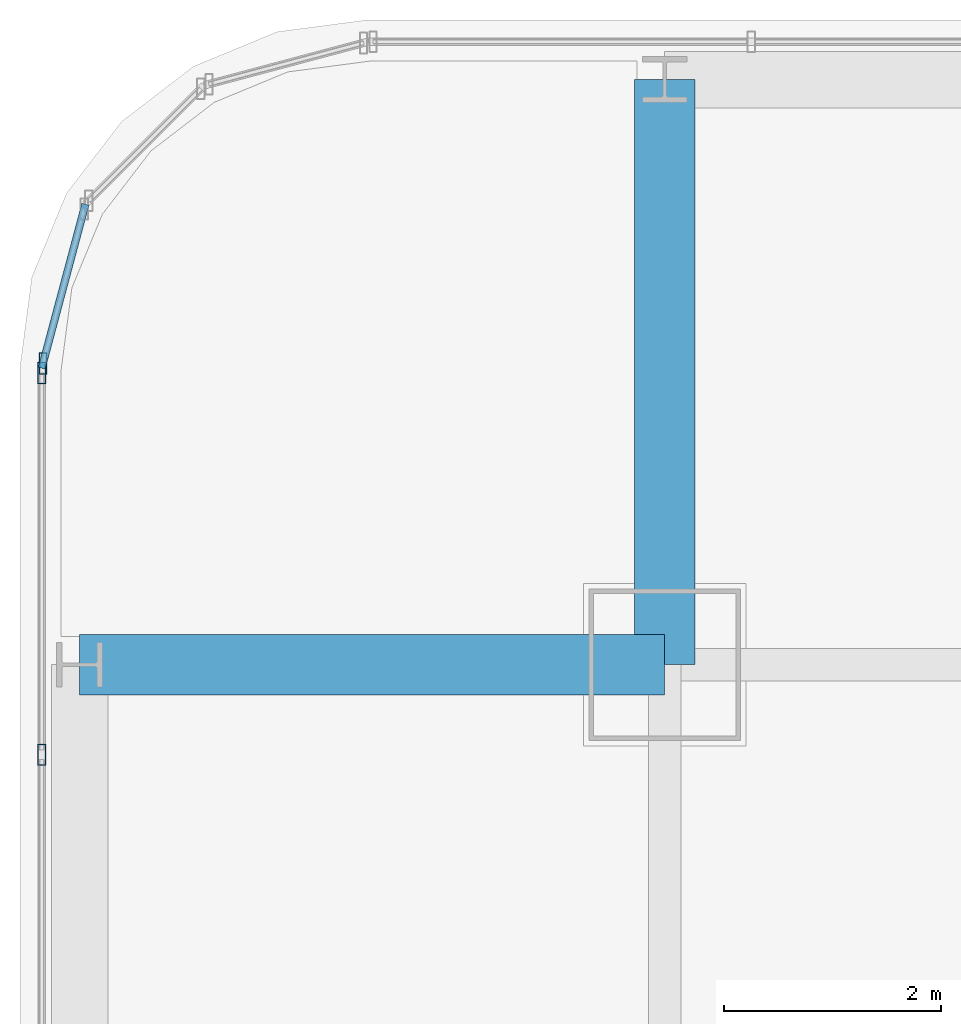
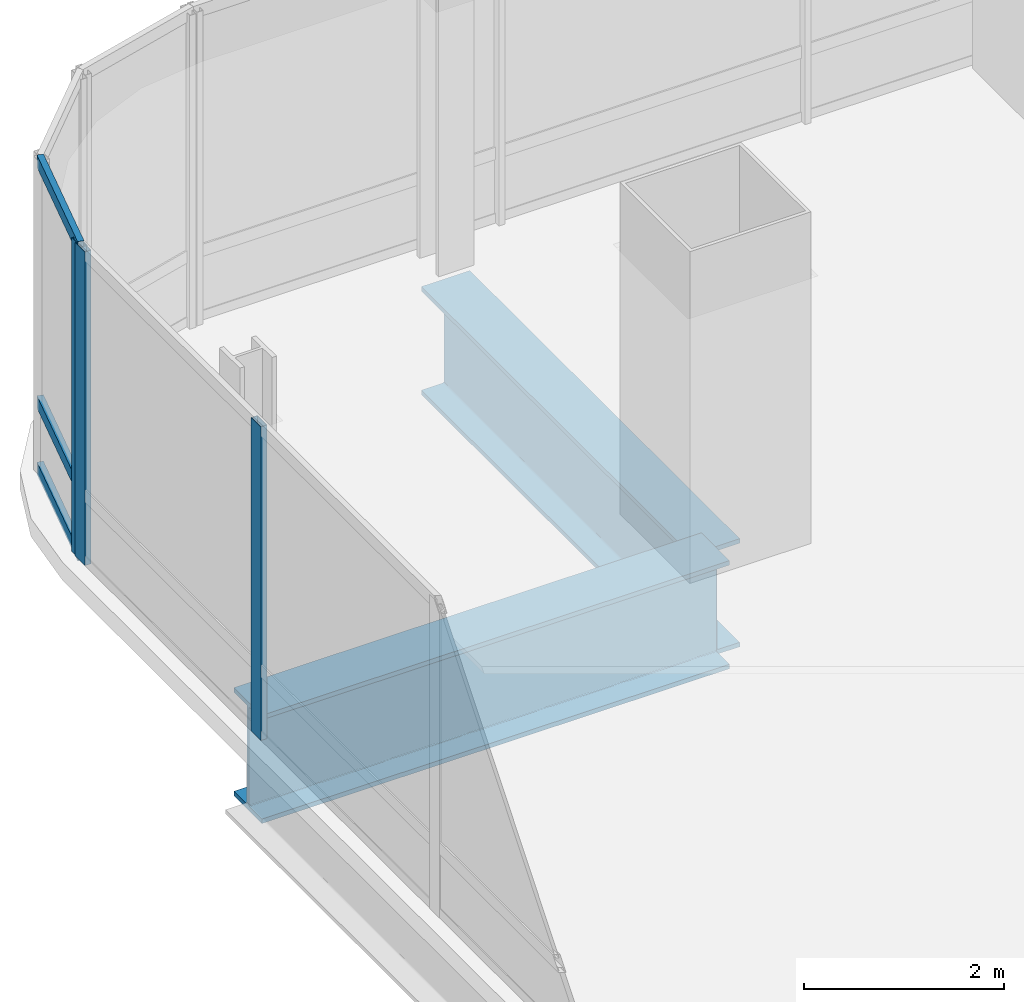
# One storey, part 19 of 37: 6 members, 2 beams, 2 elements without a shape of their own.
"""IFC4 building model written with IfcOpenShell, lengths in metres."""

from ifc_helpers import new_model, si_unit, direction, frame, origin, origin_2d, place, context, subcontext, project, spatial, hollow_rectangle, i_section, extrude, material, material_profile, profile_set, type_object, element, aggregate, save


model = new_model("IFC4")

# Units and contexts
model_context = context("Model", 3, precision=1e-05, world=origin(), true_north=direction((0.0, 1.0)))
body_context = subcontext(model_context, "Body", "Model", "MODEL_VIEW")
ifc_project = project(units=[si_unit("LENGTHUNIT", "METRE"), si_unit("AREAUNIT", "SQUARE_METRE"), si_unit("VOLUMEUNIT", "CUBIC_METRE"), si_unit("PLANEANGLEUNIT", "RADIAN"), si_unit("MASSUNIT", "GRAM", prefix="KILO")], contexts=[model_context])

# Site, building, storey
site_placement = place(None, origin())
site = spatial("IfcSite", under=ifc_project, at=site_placement, CompositionType="ELEMENT")
building_placement = place(site_placement, origin())
building = spatial("IfcBuilding", under=site, at=building_placement, Name="Punatoya Terracotta Tower", CompositionType="ELEMENT")
storey_placement = place(building_placement, frame((0.0, 0.0, 164.10009765625)))
storey = spatial("IfcBuildingStorey", under=building, at=storey_placement, Name="L38", CompositionType="ELEMENT", Elevation=164.10009765625)

# Beams
ifc_material_1 = material(Name="Steel S460", Category="steel")
ifc_material_profile_1 = material_profile(ifc_material_1, i_section(OverallWidth=0.56005859375, OverallDepth=1.320068359375, WebThickness=0.035888671875, FlangeThickness=0.054931640625, FilletRadius=0.01806640625, at=origin_2d()))
ifc_profile_set_1 = profile_set([ifc_material_profile_1], Name="Steel S460")
beam_type = type_object("IfcBeamType", Name="BM-TG-BLK", PredefinedType="BEAM", material=ifc_profile_set_1)
for number, where, z_axis, x_axis, name in (
    (1, (-24.5, 17.5, -0.880126953125), (1.0, 0.0, 0.0), (0.0, 1.0, 0.0), "BM-L38-CANT-W4"),
    (2, (-19.10009765625, 17.5, -0.880126953125), (0.0, 1.0, 0.0), (-1.0, 0.0, 0.0), "BM-L38-CANT-N1"),
):
    element("IfcBeam", number, at=place(storey_placement, frame(where, z_axis=z_axis, x_axis=x_axis)), inside=storey, type_object=beam_type, Name=name, PredefinedType="BEAM", context=body_context, shape_type="SweptSolid", body=[
        extrude(i_section(OverallWidth=0.56005859375, OverallDepth=1.320068359375, WebThickness=0.035888671875, FlangeThickness=0.054931640625, FilletRadius=0.01806640625, at=origin_2d()), origin(), (0.0, 0.0, 1.0), 5.39990234375),
    ])

# Curtain wall, member
ifc_material_2 = material(Name="Aluminium 6063-T6 + Double Low-E Glass", Category="aluminium")
curtain_wall_type = type_object("IfcCurtainWallType", Name="CW-M2", PredefinedType="NOTDEFINED", material=ifc_material_2)
curtain_wall_1_placement = place(storey_placement, origin())
curtain_wall_1 = element("IfcCurtainWall", 3, at=curtain_wall_1_placement, inside=storey, type_object=curtain_wall_type, Name="L38 Curtain Wall CW-L38-CRN12", PredefinedType="NOTDEFINED")
ifc_material_3 = material(Name="Aluminium 6063-T6", Category="aluminium")
ifc_material_profile_2 = material_profile(ifc_material_3, hollow_rectangle(XDim=0.072021484375, YDim=0.195068359375, WallThickness=0.00439453125, at=origin_2d()))
ifc_profile_set_2 = profile_set([ifc_material_profile_2], Name="Aluminium 6063-T6")
member_type_1 = type_object("IfcMemberType", Name="CW-MUL-M2", PredefinedType="MULLION", material=ifc_profile_set_2)
member_1_placement = place(storey_placement, frame((-24.83837890625, 20.280517578125, 0.0), z_axis=(0.0, 0.0, 1.0), x_axis=(1.0, 0.0, 0.0)))
member_1 = element("IfcMember", 4, at=member_1_placement, type_object=member_type_1, Name="CW-L38-CRN12 Mullion 01", PredefinedType="MULLION", context=body_context, shape_type="SweptSolid", body=[
    extrude(hollow_rectangle(XDim=0.072021484375, YDim=0.195068359375, WallThickness=0.00439453125, at=origin_2d()), origin(), (0.0, 0.0, 1.0), 3.829833984375),
])

# Curtain wall, members
curtain_wall_2_placement = place(storey_placement, origin())
curtain_wall_2 = element("IfcCurtainWall", 5, at=curtain_wall_2_placement, inside=storey, type_object=curtain_wall_type, Name="L38 Curtain Wall CW-L38-W13-1", PredefinedType="NOTDEFINED")
member_2_placement = place(storey_placement, frame((-24.85009765625, 20.19189453125, 0.0), z_axis=(0.0, 0.0, 1.0), x_axis=(1.0, 0.0, 0.0)))
member_2 = element("IfcMember", 6, at=member_2_placement, type_object=member_type_1, Name="CW-L38-W13-1 Mullion 00", PredefinedType="MULLION", context=body_context, shape_type="SweptSolid", body=[
    extrude(hollow_rectangle(XDim=0.072021484375, YDim=0.195068359375, WallThickness=0.00439453125, at=origin_2d()), origin(), (0.0, 0.0, 1.0), 3.829833984375),
])
member_3_placement = place(storey_placement, frame((-24.85009765625, 16.66943359375, 0.0), z_axis=(0.0, 0.0, 1.0), x_axis=(1.0, 0.0, 0.0)))
member_3 = element("IfcMember", 7, at=member_3_placement, type_object=member_type_1, Name="CW-L38-W13-1 Mullion 01", PredefinedType="MULLION", context=body_context, shape_type="SweptSolid", body=[
    extrude(hollow_rectangle(XDim=0.072021484375, YDim=0.195068359375, WallThickness=0.00439453125, at=origin_2d()), origin(), (0.0, 0.0, 1.0), 3.829833984375),
])
aggregate(curtain_wall_2, [member_2, member_3])

# Member
ifc_material_profile_3 = material_profile(ifc_material_3, hollow_rectangle(XDim=0.068115234375, YDim=0.14990234375, WallThickness=0.00390625, at=origin_2d()))
ifc_profile_set_3 = profile_set([ifc_material_profile_3], Name="Aluminium 6063-T6")
member_type_2 = type_object("IfcMemberType", Name="CW-TRN-TYP", PredefinedType="USERDEFINED", material=ifc_profile_set_3)
member_4_placement = place(storey_placement, frame((-24.446533203125, 21.7490234375, 0.039794921875), z_axis=(-0.257847112249, -0.966185730957, 0.0), x_axis=(0.966185730957, -0.257847112249, 0.0)))
member_4 = element("IfcMember", 8, at=member_4_placement, type_object=member_type_2, Name="CW-L38-CRN12 Transom 1", ObjectType="TRANSOM", PredefinedType="USERDEFINED", context=body_context, shape_type="SweptSolid", body=[
    extrude(hollow_rectangle(XDim=0.068115234375, YDim=0.14990234375, WallThickness=0.00390625, at=origin_2d()), origin(), (0.0, 0.0, 1.0), 1.565185546875),
])

member_5_placement = place(storey_placement, frame((-24.446533203125, 21.7490234375, 0.849853515625), z_axis=(-0.257847112249, -0.966185730957, 0.0), x_axis=(0.966185730957, -0.257847112249, 0.0)))
member_5 = element("IfcMember", 9, at=member_5_placement, type_object=member_type_2, Name="CW-L38-CRN12 Transom 2", ObjectType="TRANSOM", PredefinedType="USERDEFINED", context=body_context, shape_type="SweptSolid", body=[
    extrude(hollow_rectangle(XDim=0.068115234375, YDim=0.14990234375, WallThickness=0.00390625, at=origin_2d()), origin(), (0.0, 0.0, 1.0), 1.565185546875),
])

member_6_placement = place(storey_placement, frame((-24.446533203125, 21.7490234375, 3.789794921875), z_axis=(-0.257847112249, -0.966185730957, 0.0), x_axis=(0.966185730957, -0.257847112249, 0.0)))
member_6 = element("IfcMember", 10, at=member_6_placement, type_object=member_type_2, Name="CW-L38-CRN12 Transom 3", ObjectType="TRANSOM", PredefinedType="USERDEFINED", context=body_context, shape_type="SweptSolid", body=[
    extrude(hollow_rectangle(XDim=0.068115234375, YDim=0.14990234375, WallThickness=0.00390625, at=origin_2d()), origin(), (0.0, 0.0, 1.0), 1.565185546875),
])

aggregate(curtain_wall_1, [member_1, member_4, member_5, member_6])

save(model, "model.ifc")
